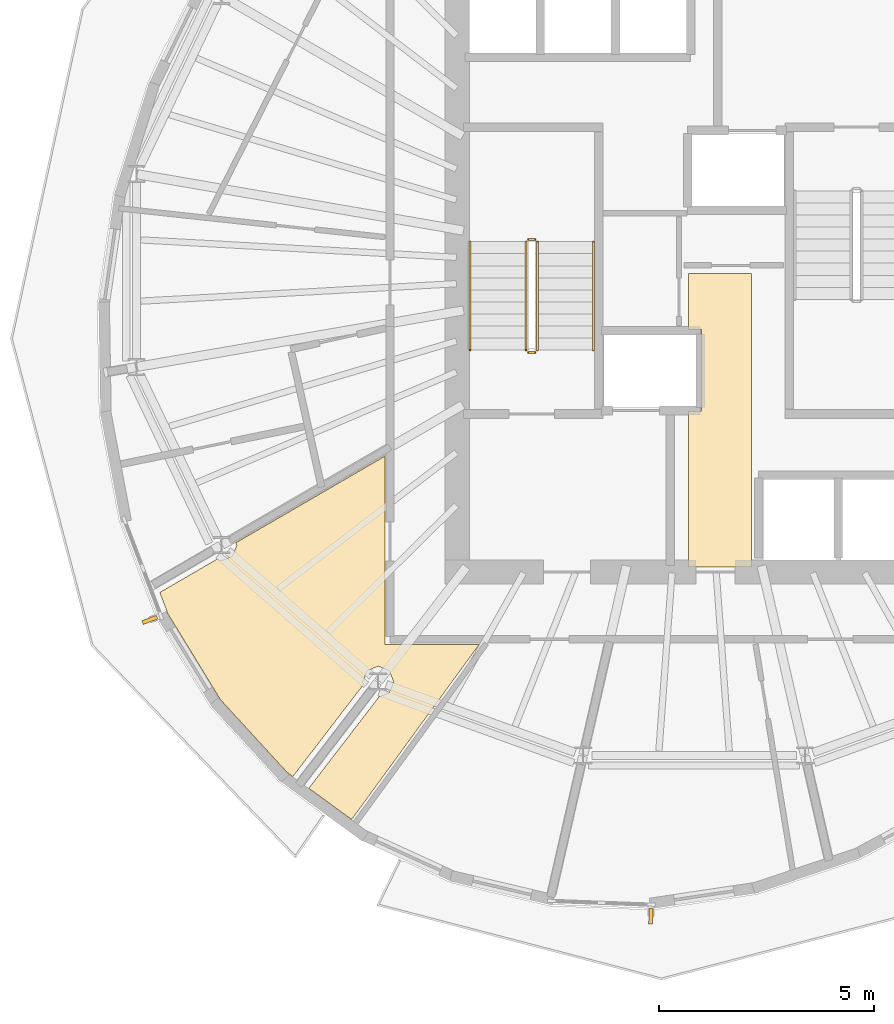
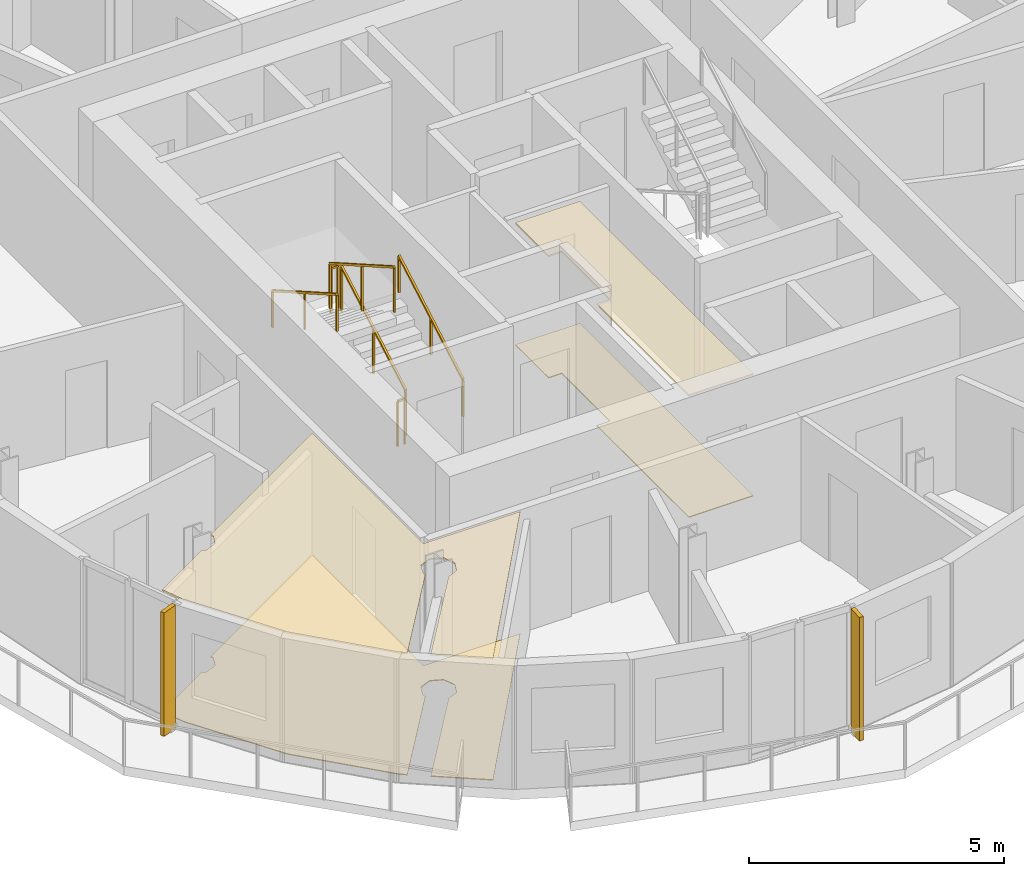
# One storey, part 8 of 11: 6 railings, 4 coverings, 2 shading devices.
"""IFC4 building model written with IfcOpenShell, lengths in metres."""

from ifc_helpers import new_model, si_unit, direction, frame, origin, origin_2d, place, context, subcontext, project, spatial, polyline, rectangle, outline, extrude, material, layer, layer_set, type_object, element, save


model = new_model("IFC4")

# Units and contexts
model_context = context("Model", 3, precision=1e-05, world=origin(), true_north=direction((0.0, 1.0)))
body_context = subcontext(model_context, "Body", "Model", "MODEL_VIEW")
ifc_project = project(units=[si_unit("LENGTHUNIT", "METRE"), si_unit("AREAUNIT", "SQUARE_METRE"), si_unit("VOLUMEUNIT", "CUBIC_METRE"), si_unit("PLANEANGLEUNIT", "RADIAN"), si_unit("MASSUNIT", "GRAM", prefix="KILO")], contexts=[model_context])

# Site, building, storey
site_placement = place(None, origin())
site = spatial("IfcSite", under=ifc_project, at=site_placement, CompositionType="ELEMENT")
building_placement = place(site_placement, origin())
building = spatial("IfcBuilding", under=site, at=building_placement, Name="Veldorim Arch Residences", CompositionType="ELEMENT")
storey_placement = place(building_placement, frame((0.0, 0.0, 236.639892578125)))
storey = spatial("IfcBuildingStorey", under=building, at=storey_placement, Name="L71", CompositionType="ELEMENT", Elevation=236.639892578125)

# Railings
ifc_material_1 = material(Name="Steel S355", Category="steel")
railing_type_1 = type_object("IfcRailingType", Name="Galvanised Steel Stair Safety Guardrail 1100", PredefinedType="GUARDRAIL", material=ifc_material_1)
railing_1_placement = place(storey_placement, frame((28.360107421875, 22.14990234375, 0.16015625)))
element("IfcRailing", 1, at=railing_1_placement, inside=storey, type_object=railing_type_1, Name="L71 ST-1 stair guard 1", PredefinedType="GUARDRAIL", context=body_context, shape_type="SweptSolid", body=[
    extrude(rectangle(XDim=0.048095703125, YDim=0.048095703125, at=origin_2d()), frame((0.0, 0.0, 1.076171875), z_axis=(0.0, 0.868253494771, 0.496120820787), x_axis=(-1.0, 0.0, 0.0)), (0.0, 0.0, 1.0), 2.90234375),
    extrude(rectangle(XDim=0.0419921875, YDim=0.0419921875, at=origin_2d()), origin(), (0.0, 0.0, 1.0), 1.052001953125),
    extrude(rectangle(XDim=0.0419921875, YDim=0.0419921875, at=origin_2d()), frame((0.0, 1.260009765625, 0.719970703125)), (0.0, 0.0, 1.0), 1.052001953125),
    extrude(rectangle(XDim=0.0419921875, YDim=0.0419921875, at=origin_2d()), frame((0.0, 2.52001953125, 1.43994140625)), (0.0, 0.0, 1.0), 1.052001953125),
])
railing_2_placement = place(storey_placement, frame((28.31005859375, 24.719970703125, 1.60009765625)))
element("IfcRailing", 2, at=railing_2_placement, inside=storey, type_object=railing_type_1, Name="L71 ST-1 stair guard 2", PredefinedType="GUARDRAIL", context=body_context, shape_type="SweptSolid", body=[
    extrude(rectangle(XDim=0.048095703125, YDim=0.048095703125, at=origin_2d()), frame((0.0, 0.0, 1.076171875), z_axis=(-1.0, 0.0, 0.0), x_axis=(0.0, -1.0, 0.0)), (0.0, 0.0, 1.0), 0.16015625),
    extrude(rectangle(XDim=0.0419921875, YDim=0.0419921875, at=origin_2d()), origin(), (0.0, 0.0, 1.0), 1.052001953125),
    extrude(rectangle(XDim=0.0419921875, YDim=0.0419921875, at=origin_2d()), frame((-0.16015625, 0.0, 0.0)), (0.0, 0.0, 1.0), 1.052001953125),
])
railing_3_placement = place(storey_placement, frame((28.10009765625, 24.669921875, 1.760009765625)))
element("IfcRailing", 3, at=railing_3_placement, inside=storey, type_object=railing_type_1, Name="L71 ST-1 stair guard 3", PredefinedType="GUARDRAIL", context=body_context, shape_type="SweptSolid", body=[
    extrude(rectangle(XDim=0.048095703125, YDim=0.048095703125, at=origin_2d()), frame((0.0, 0.0, 1.076171875), z_axis=(0.0, -0.868217259934, 0.496184229447), x_axis=(1.0, 0.0, 0.0)), (0.0, 0.0, 1.0), 2.902587890625),
    extrude(rectangle(XDim=0.0419921875, YDim=0.0419921875, at=origin_2d()), origin(), (0.0, 0.0, 1.0), 1.052001953125),
    extrude(rectangle(XDim=0.0419921875, YDim=0.0419921875, at=origin_2d()), frame((0.0, -1.260009765625, 0.72021484375)), (0.0, 0.0, 1.0), 1.052001953125),
    extrude(rectangle(XDim=0.0419921875, YDim=0.0419921875, at=origin_2d()), frame((0.0, -2.52001953125, 1.440185546875)), (0.0, 0.0, 1.0), 1.052001953125),
])
railing_4_placement = place(storey_placement, frame((28.31005859375, 22.10009765625, 0.0)))
element("IfcRailing", 4, at=railing_4_placement, inside=storey, type_object=railing_type_1, Name="L71 ST-1 stair guard 4", PredefinedType="GUARDRAIL", context=body_context, shape_type="SweptSolid", body=[
    extrude(rectangle(XDim=0.048095703125, YDim=0.048095703125, at=origin_2d()), frame((0.0, 0.0, 1.076171875), z_axis=(-1.0, 0.0, 0.0), x_axis=(0.0, -1.0, 0.0)), (0.0, 0.0, 1.0), 0.16015625),
    extrude(rectangle(XDim=0.0419921875, YDim=0.0419921875, at=origin_2d()), origin(), (0.0, 0.0, 1.0), 1.052001953125),
    extrude(rectangle(XDim=0.0419921875, YDim=0.0419921875, at=origin_2d()), frame((-0.16015625, 0.0, 0.0)), (0.0, 0.0, 1.0), 1.052001953125),
])

# Coverings
ifc_material_2 = material(Name="Acoustic Gypsum & Mineral Fibre", Category="gypsum")
ifc_layer_1 = layer(ifc_material_2, 0.034912109375, Name="Perforated Acoustic Mineral-Fibre Ceiling 35")
ifc_layer_set_1 = layer_set([ifc_layer_1], Name="Acoustic Gypsum & Mineral Fibre")
covering_type_1 = type_object("IfcCoveringType", Name="Perforated Acoustic Mineral-Fibre Ceiling 35", PredefinedType="CEILING", material=ifc_layer_set_1)
covering_1_placement = place(storey_placement, frame((0.0, 0.0, 2.905029296875)))
element("IfcCovering", 5, at=covering_1_placement, inside=storey, type_object=covering_type_1, Name="L71 acoustic suspended ceiling 01", PredefinedType="CEILING", context=body_context, shape_type="SweptSolid", body=[
    extrude(outline(polyline([(33.330078125, 23.929931640625), (33.330078125, 17.1201171875), (31.8701171875, 17.1201171875), (31.8701171875, 20.735107421875), (32.169921875, 20.735107421875), (32.169921875, 22.625), (31.8701171875, 22.625), (31.8701171875, 23.929931640625), (33.330078125, 23.929931640625)])), origin(), (0.0, 0.0, 1.0), 0.03515625),
])
covering_2_placement = place(storey_placement, frame((0.0, 0.0, 2.905029296875)))
element("IfcCovering", 6, at=covering_2_placement, inside=storey, type_object=covering_type_1, Name="L71 acoustic suspended ceiling 02", PredefinedType="CEILING", context=body_context, shape_type="SweptSolid", body=[
    extrude(outline(polyline([(24.920654296875, 14.20068359375), (25.02587890625, 14.45458984375), (24.920654296875, 14.708740234375), (24.66650390625, 14.814208984375), (24.412353515625, 14.708740234375), (24.30712890625, 14.45458984375), (24.33154296875, 14.395751953125), (22.683349609375, 12.25048828125), (22.552734375, 12.345703125), (21.00146484375, 14.037841796875), (19.781982421875, 16.032958984375), (19.594970703125, 16.525634765625), (20.930419921875, 17.3017578125), (21.024658203125, 17.2626953125), (21.27880859375, 17.367919921875), (21.384033203125, 17.6220703125), (21.360595703125, 17.6787109375), (24.820068359375, 19.688720703125), (24.820068359375, 15.320068359375), (27.011962890625, 15.320068359375), (24.049560546875, 11.25390625), (23.0546875, 11.9794921875), (24.686279296875, 14.103515625), (24.920654296875, 14.20068359375)])), origin(), (0.0, 0.0, 1.0), 0.03515625),
])
ifc_material_3 = material(Name="Porcelain Ceramic Tile", Category="ceramic")
ifc_layer_2 = layer(ifc_material_3, 0.02001953125, Name="Slip-Resistant Porcelain & Vinyl Floor Finish 20")
ifc_layer_set_2 = layer_set([ifc_layer_2], Name="Porcelain Ceramic Tile")
covering_type_2 = type_object("IfcCoveringType", Name="Slip-Resistant Porcelain & Vinyl Floor Finish 20", PredefinedType="FLOORING", material=ifc_layer_set_2)
covering_3_placement = place(storey_placement, origin())
element("IfcCovering", 7, at=covering_3_placement, inside=storey, type_object=covering_type_2, Name="L71 porcelain floor finish 01", PredefinedType="FLOORING", context=body_context, shape_type="SweptSolid", body=[
    extrude(outline(polyline([(33.330078125, 23.929931640625), (33.330078125, 17.1201171875), (31.8701171875, 17.1201171875), (31.8701171875, 20.735107421875), (32.169921875, 20.735107421875), (32.169921875, 22.625), (31.8701171875, 22.625), (31.8701171875, 23.929931640625), (33.330078125, 23.929931640625)])), origin(), (0.0, 0.0, 1.0), 0.02001953125),
])
covering_4_placement = place(storey_placement, origin())
element("IfcCovering", 8, at=covering_4_placement, inside=storey, type_object=covering_type_2, Name="L71 porcelain floor finish 02", PredefinedType="FLOORING", context=body_context, shape_type="SweptSolid", body=[
    extrude(outline(polyline([(24.920654296875, 14.20068359375), (25.02587890625, 14.45458984375), (24.920654296875, 14.708740234375), (24.66650390625, 14.814208984375), (24.412353515625, 14.708740234375), (24.30712890625, 14.45458984375), (24.33154296875, 14.395751953125), (22.683349609375, 12.25048828125), (22.552734375, 12.345703125), (21.00146484375, 14.037841796875), (19.781982421875, 16.032958984375), (19.594970703125, 16.525634765625), (20.930419921875, 17.3017578125), (21.024658203125, 17.2626953125), (21.27880859375, 17.367919921875), (21.384033203125, 17.6220703125), (21.360595703125, 17.6787109375), (24.820068359375, 19.688720703125), (24.820068359375, 15.320068359375), (27.011962890625, 15.320068359375), (24.049560546875, 11.25390625), (23.0546875, 11.9794921875), (24.686279296875, 14.103515625), (24.920654296875, 14.20068359375)])), origin(), (0.0, 0.0, 1.0), 0.02001953125),
])

# Railings
ifc_material_4 = material(Name="Stainless Steel", Category="steel")
railing_type_2 = type_object("IfcRailingType", Name="Tubular Steel Continuous Wall Handrail 900", PredefinedType="HANDRAIL", material=ifc_material_4)
railing_5_placement = place(storey_placement, frame((29.659912109375, 22.14990234375, 0.16015625)))
element("IfcRailing", 9, at=railing_5_placement, inside=storey, type_object=railing_type_2, Name="L71 ST-1 stair handrail 1", PredefinedType="HANDRAIL", context=body_context, shape_type="SweptSolid", body=[
    extrude(rectangle(XDim=0.048095703125, YDim=0.048095703125, at=origin_2d()), frame((0.0, 0.0, 0.8759765625), z_axis=(0.0, 0.868253494771, 0.496120820787), x_axis=(-1.0, 0.0, 0.0)), (0.0, 0.0, 1.0), 2.90234375),
    extrude(rectangle(XDim=0.0419921875, YDim=0.0419921875, at=origin_2d()), origin(), (0.0, 0.0, 1.0), 0.851806640625),
    extrude(rectangle(XDim=0.0419921875, YDim=0.0419921875, at=origin_2d()), frame((0.0, 1.260009765625, 0.719970703125)), (0.0, 0.0, 1.0), 0.851806640625),
    extrude(rectangle(XDim=0.0419921875, YDim=0.0419921875, at=origin_2d()), frame((0.0, 2.52001953125, 1.43994140625)), (0.0, 0.0, 1.0), 0.851806640625),
])
railing_6_placement = place(storey_placement, frame((26.800048828125, 24.669921875, 1.760009765625)))
element("IfcRailing", 10, at=railing_6_placement, inside=storey, type_object=railing_type_2, Name="L71 ST-1 stair handrail 2", PredefinedType="HANDRAIL", context=body_context, shape_type="SweptSolid", body=[
    extrude(rectangle(XDim=0.048095703125, YDim=0.048095703125, at=origin_2d()), frame((0.0, 0.0, 0.8759765625), z_axis=(0.0, -0.868217259934, 0.496184229447), x_axis=(1.0, 0.0, 0.0)), (0.0, 0.0, 1.0), 2.902587890625),
    extrude(rectangle(XDim=0.0419921875, YDim=0.0419921875, at=origin_2d()), origin(), (0.0, 0.0, 1.0), 0.851806640625),
    extrude(rectangle(XDim=0.0419921875, YDim=0.0419921875, at=origin_2d()), frame((0.0, -1.260009765625, 0.72021484375)), (0.0, 0.0, 1.0), 0.851806640625),
    extrude(rectangle(XDim=0.0419921875, YDim=0.0419921875, at=origin_2d()), frame((0.0, -2.52001953125, 1.440185546875)), (0.0, 0.0, 1.0), 0.851806640625),
])

# Shading devices
ifc_material_5 = material(Name="Terracotta Ceramic", Category="masonry")
ifc_layer_3 = layer(ifc_material_5, 0.090087890625, Name="Vertical Extruded Terracotta Baguette Sun-Shading Fin")
ifc_layer_set_3 = layer_set([ifc_layer_3], Name="Terracotta Ceramic")
shading_device_type = type_object("IfcShadingDeviceType", Name="Vertical Extruded Terracotta Baguette Sun-Shading Fin", PredefinedType="USERDEFINED", material=ifc_layer_set_3)
for number, where, z_axis, x_axis, name in (
    (11, (19.363525390625, 15.888427734375, 0.000244140625), (0.0, 0.0, 1.0), (-0.354943799141, 0.934887640014, 0.0), "L71 vertical terracotta sun-shading fin 15"),
    (12, (30.99658203125, 9.004638671875, 0.000244140625), (0.0, 0.0, 1.0), (-0.999289472641, 0.03769018267, 0.0), "L71 vertical terracotta sun-shading fin 21"),
):
    element("IfcShadingDevice", number, at=place(storey_placement, frame(where, z_axis=z_axis, x_axis=x_axis)), inside=storey, type_object=shading_device_type, Name=name, ObjectType="FIN", PredefinedType="USERDEFINED", context=body_context, shape_type="SweptSolid", body=[
        extrude(rectangle(XDim=0.090087890625, YDim=0.360107421875, at=origin_2d()), origin(), (0.0, 0.0, 1.0), 2.9599609375),
    ])

save(model, "model.ifc")
